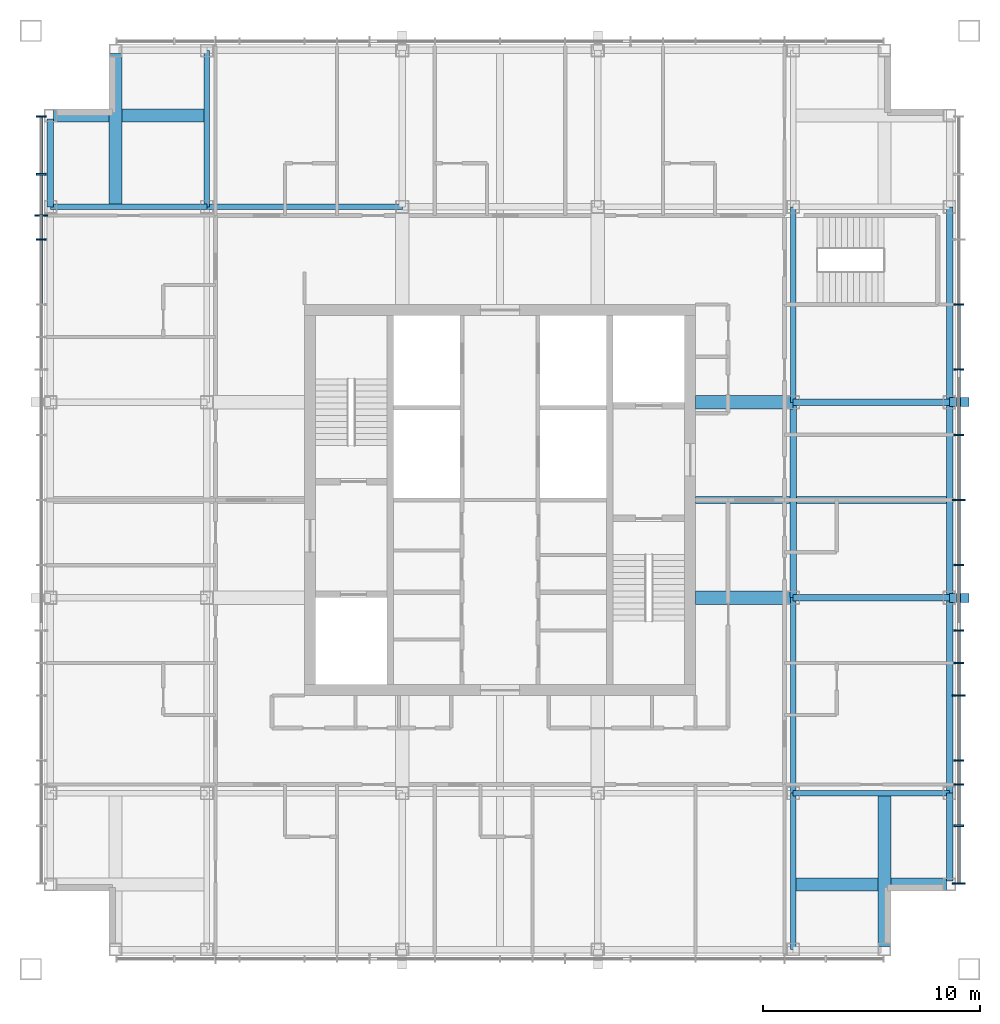
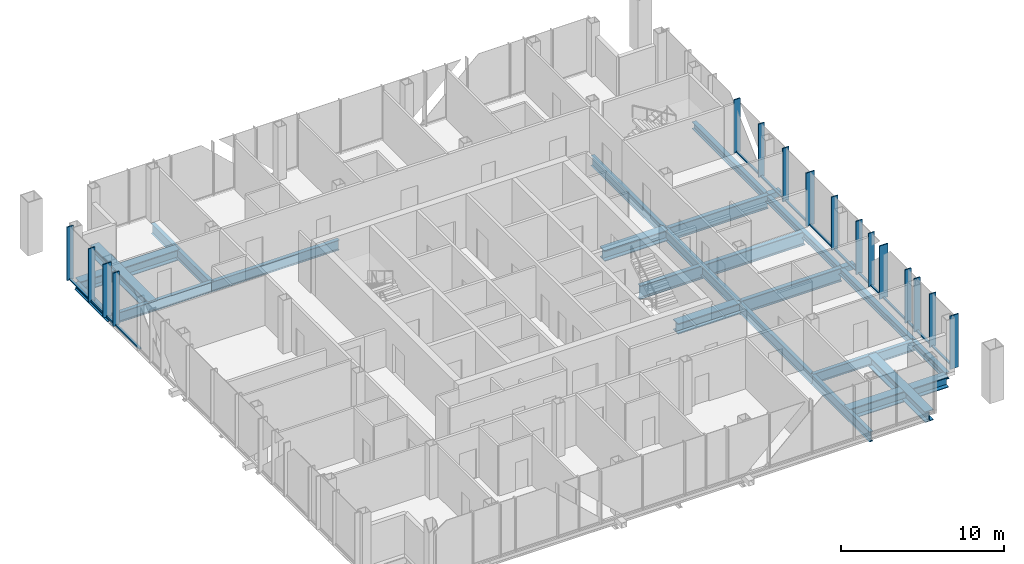
# One storey, part 4 of 13: 33 members, 22 beams, 2 elements without a shape of their own.
"""IFC4 building model written with IfcOpenShell, lengths in metres."""

from ifc_helpers import new_model, si_unit, direction, frame, origin, origin_2d, place, context, subcontext, project, spatial, rectangle, hollow_rectangle, i_section, extrude, material, layer, layer_set, material_profile, profile_set, type_object, element, aggregate, save


model = new_model("IFC4")

# Units and contexts
model_context = context("Model", 3, precision=1e-05, world=origin(), true_north=direction((0.0, 1.0)))
body_context = subcontext(model_context, "Body", "Model", "MODEL_VIEW")
ifc_project = project(units=[si_unit("LENGTHUNIT", "METRE"), si_unit("AREAUNIT", "SQUARE_METRE"), si_unit("VOLUMEUNIT", "CUBIC_METRE"), si_unit("PLANEANGLEUNIT", "RADIAN"), si_unit("MASSUNIT", "GRAM", prefix="KILO")], contexts=[model_context])

# Site, building, storey
site_placement = place(None, origin())
site = spatial("IfcSite", under=ifc_project, at=site_placement, CompositionType="ELEMENT")
building_placement = place(site_placement, origin())
building = spatial("IfcBuilding", under=site, at=building_placement, Name="Malebo Sky Hospital", CompositionType="ELEMENT")
storey_placement = place(building_placement, frame((0.0, 0.0, 274.0)))
storey = spatial("IfcBuildingStorey", under=building, at=storey_placement, Name="L66", CompositionType="ELEMENT", Elevation=274.0)

# Curtain wall, members
ifc_material_1 = material(Name="Anodised aluminium, natural silver", Category="aluminium")
ifc_layer = layer(ifc_material_1, 0.25)
ifc_layer_set = layer_set([ifc_layer], Name="WARD CURTAIN WALL EAST AND WEST")
curtain_wall_type = type_object("IfcCurtainWallType", Name="WARD CURTAIN WALL EAST AND WEST", PredefinedType="NOTDEFINED", material=ifc_layer_set)
curtain_wall_1_placement = place(storey_placement, origin())
curtain_wall_1 = element("IfcCurtainWall", 1, at=curtain_wall_1_placement, inside=storey, type_object=curtain_wall_type, Name="EW curtain wall W", PredefinedType="NOTDEFINED")
ifc_material_profile_1 = material_profile(ifc_material_1, rectangle(XDim=0.14990234375, YDim=0.10009765625, at=origin_2d()), Name="ALUMINIUM TRANSOM 150x100")
ifc_profile_set_1 = profile_set([ifc_material_profile_1], Name="Anodised aluminium, natural silver")
member_type_1 = type_object("IfcMemberType", Name="ALUMINIUM TRANSOM 150x100", PredefinedType="USERDEFINED", material=ifc_profile_set_1)
member_1_placement = place(storey_placement, frame((38.875, 71.03759765625, 0.050048828125), z_axis=(0.0, 1.0, 0.0), x_axis=(-1.0, 0.0, 0.0)))
member_1 = element("IfcMember", 2, at=member_1_placement, type_object=member_type_1, Name="Transom 13", ObjectType="TRANSOM", PredefinedType="USERDEFINED", context=body_context, shape_type="SweptSolid", body=[
    extrude(rectangle(XDim=0.14990234375, YDim=0.10009765625, at=origin_2d()), origin(), (0.0, 0.0, 1.0), 2.9248046875),
])
member_2_placement = place(storey_placement, frame((38.875, 74.03759765625, 0.050048828125), z_axis=(0.0, 1.0, 0.0), x_axis=(-1.0, 0.0, 0.0)))
member_2 = element("IfcMember", 3, at=member_2_placement, type_object=member_type_1, Name="Transom 14", ObjectType="TRANSOM", PredefinedType="USERDEFINED", context=body_context, shape_type="SweptSolid", body=[
    extrude(rectangle(XDim=0.14990234375, YDim=0.10009765625, at=origin_2d()), origin(), (0.0, 0.0, 1.0), 1.02490234375),
])
member_3_placement = place(storey_placement, frame((38.875, 75.137451171875, 0.050048828125), z_axis=(0.0, 1.0, 0.0), x_axis=(-1.0, 0.0, 0.0)))
member_3 = element("IfcMember", 4, at=member_3_placement, type_object=member_type_1, Name="Transom 15", ObjectType="TRANSOM", PredefinedType="USERDEFINED", context=body_context, shape_type="SweptSolid", body=[
    extrude(rectangle(XDim=0.14990234375, YDim=0.10009765625, at=origin_2d()), origin(), (0.0, 0.0, 1.0), 1.824951171875),
])
member_4_placement = place(storey_placement, frame((38.875, 77.03759765625, 0.050048828125), z_axis=(0.0, 1.0, 0.0), x_axis=(-1.0, 0.0, 0.0)))
member_4 = element("IfcMember", 5, at=member_4_placement, type_object=member_type_1, Name="Transom 16", ObjectType="TRANSOM", PredefinedType="USERDEFINED", context=body_context, shape_type="SweptSolid", body=[
    extrude(rectangle(XDim=0.14990234375, YDim=0.10009765625, at=origin_2d()), origin(), (0.0, 0.0, 1.0), 2.58740234375),
])

curtain_wall_2_placement = place(storey_placement, origin())
curtain_wall_2 = element("IfcCurtainWall", 6, at=curtain_wall_2_placement, inside=storey, type_object=curtain_wall_type, Name="EW curtain wall E", PredefinedType="NOTDEFINED")
member_5_placement = place(storey_placement, frame((81.125, 70.96240234375, 0.050048828125), z_axis=(0.0, -1.0, 0.0), x_axis=(1.0, 0.0, 0.0)))
member_5 = element("IfcMember", 7, at=member_5_placement, type_object=member_type_1, Name="Transom 4", ObjectType="TRANSOM", PredefinedType="USERDEFINED", context=body_context, shape_type="SweptSolid", body=[
    extrude(rectangle(XDim=0.14990234375, YDim=0.10009765625, at=origin_2d()), origin(), (0.0, 0.0, 1.0), 2.9248046875),
])
member_6_placement = place(storey_placement, frame((81.125, 67.96240234375, 0.050048828125), z_axis=(0.0, -1.0, 0.0), x_axis=(1.0, 0.0, 0.0)))
member_6 = element("IfcMember", 8, at=member_6_placement, type_object=member_type_1, Name="Transom 5", ObjectType="TRANSOM", PredefinedType="USERDEFINED", context=body_context, shape_type="SweptSolid", body=[
    extrude(rectangle(XDim=0.14990234375, YDim=0.10009765625, at=origin_2d()), origin(), (0.0, 0.0, 1.0), 2.9248046875),
])
member_7_placement = place(storey_placement, frame((81.125, 64.96240234375, 0.050048828125), z_axis=(0.0, -1.0, 0.0), x_axis=(1.0, 0.0, 0.0)))
member_7 = element("IfcMember", 9, at=member_7_placement, type_object=member_type_1, Name="Transom 6", ObjectType="TRANSOM", PredefinedType="USERDEFINED", context=body_context, shape_type="SweptSolid", body=[
    extrude(rectangle(XDim=0.14990234375, YDim=0.10009765625, at=origin_2d()), origin(), (0.0, 0.0, 1.0), 2.9248046875),
])
member_8_placement = place(storey_placement, frame((81.125, 61.96240234375, 0.050048828125), z_axis=(0.0, -1.0, 0.0), x_axis=(1.0, 0.0, 0.0)))
member_8 = element("IfcMember", 10, at=member_8_placement, type_object=member_type_1, Name="Transom 7", ObjectType="TRANSOM", PredefinedType="USERDEFINED", context=body_context, shape_type="SweptSolid", body=[
    extrude(rectangle(XDim=0.14990234375, YDim=0.10009765625, at=origin_2d()), origin(), (0.0, 0.0, 1.0), 2.9248046875),
])
member_9_placement = place(storey_placement, frame((81.125, 58.96240234375, 0.050048828125), z_axis=(0.0, -1.0, 0.0), x_axis=(1.0, 0.0, 0.0)))
member_9 = element("IfcMember", 11, at=member_9_placement, type_object=member_type_1, Name="Transom 8", ObjectType="TRANSOM", PredefinedType="USERDEFINED", context=body_context, shape_type="SweptSolid", body=[
    extrude(rectangle(XDim=0.14990234375, YDim=0.10009765625, at=origin_2d()), origin(), (0.0, 0.0, 1.0), 2.9248046875),
])
member_10_placement = place(storey_placement, frame((81.125, 55.96240234375, 0.050048828125), z_axis=(0.0, -1.0, 0.0), x_axis=(1.0, 0.0, 0.0)))
member_10 = element("IfcMember", 12, at=member_10_placement, type_object=member_type_1, Name="Transom 9", ObjectType="TRANSOM", PredefinedType="USERDEFINED", context=body_context, shape_type="SweptSolid", body=[
    extrude(rectangle(XDim=0.14990234375, YDim=0.10009765625, at=origin_2d()), origin(), (0.0, 0.0, 1.0), 1.4248046875),
])
member_11_placement = place(storey_placement, frame((81.125, 54.46240234375, 0.050048828125), z_axis=(0.0, -1.0, 0.0), x_axis=(1.0, 0.0, 0.0)))
member_11 = element("IfcMember", 13, at=member_11_placement, type_object=member_type_1, Name="Transom 10", ObjectType="TRANSOM", PredefinedType="USERDEFINED", context=body_context, shape_type="SweptSolid", body=[
    extrude(rectangle(XDim=0.14990234375, YDim=0.10009765625, at=origin_2d()), origin(), (0.0, 0.0, 1.0), 1.4248046875),
])
member_12_placement = place(storey_placement, frame((81.125, 52.96240234375, 0.050048828125), z_axis=(0.0, -1.0, 0.0), x_axis=(1.0, 0.0, 0.0)))
member_12 = element("IfcMember", 14, at=member_12_placement, type_object=member_type_1, Name="Transom 11", ObjectType="TRANSOM", PredefinedType="USERDEFINED", context=body_context, shape_type="SweptSolid", body=[
    extrude(rectangle(XDim=0.14990234375, YDim=0.10009765625, at=origin_2d()), origin(), (0.0, 0.0, 1.0), 2.9248046875),
])
member_13_placement = place(storey_placement, frame((81.125, 49.96240234375, 0.050048828125), z_axis=(0.0, -1.0, 0.0), x_axis=(1.0, 0.0, 0.0)))
member_13 = element("IfcMember", 15, at=member_13_placement, type_object=member_type_1, Name="Transom 12", ObjectType="TRANSOM", PredefinedType="USERDEFINED", context=body_context, shape_type="SweptSolid", body=[
    extrude(rectangle(XDim=0.14990234375, YDim=0.10009765625, at=origin_2d()), origin(), (0.0, 0.0, 1.0), 1.02490234375),
])
member_14_placement = place(storey_placement, frame((81.125, 48.862548828125, 0.050048828125), z_axis=(0.0, -1.0, 0.0), x_axis=(1.0, 0.0, 0.0)))
member_14 = element("IfcMember", 16, at=member_14_placement, type_object=member_type_1, Name="Transom 13", ObjectType="TRANSOM", PredefinedType="USERDEFINED", context=body_context, shape_type="SweptSolid", body=[
    extrude(rectangle(XDim=0.14990234375, YDim=0.10009765625, at=origin_2d()), origin(), (0.0, 0.0, 1.0), 1.824951171875),
])
member_15_placement = place(storey_placement, frame((81.125, 46.96240234375, 0.050048828125), z_axis=(0.0, -1.0, 0.0), x_axis=(1.0, 0.0, 0.0)))
member_15 = element("IfcMember", 17, at=member_15_placement, type_object=member_type_1, Name="Transom 14", ObjectType="TRANSOM", PredefinedType="USERDEFINED", context=body_context, shape_type="SweptSolid", body=[
    extrude(rectangle(XDim=0.14990234375, YDim=0.10009765625, at=origin_2d()), origin(), (0.0, 0.0, 1.0), 2.58740234375),
])

# Members
ifc_material_2 = material(Name="Steel S355", Category="steel")
ifc_material_profile_2 = material_profile(ifc_material_2, hollow_rectangle(XDim=0.39990234375, YDim=0.39990234375, WallThickness=0.02001953125, at=origin_2d()), Name="SHS 400x20")
ifc_profile_set_2 = profile_set([ifc_material_profile_2], Name="Steel S355")
member_type_2 = type_object("IfcMemberType", Name="BRACE STRUT SHS 400x20", PredefinedType="STRUT", material=ifc_profile_set_2)
for number, where, z_axis, x_axis, name in (
    (18, (81.60009765625, 66.51220703125, -0.39990234375), (-1.0, 0.0, 0.0), (0.0, -1.0, 0.0), "Brace strut DE1 L66"),
    (19, (81.60009765625, 57.48779296875, -0.39990234375), (-1.0, 0.0, 0.0), (0.0, -1.0, 0.0), "Brace strut DE2 L66"),
):
    element("IfcMember", number, at=place(storey_placement, frame(where, z_axis=z_axis, x_axis=x_axis)), inside=storey, type_object=member_type_2, Name=name, PredefinedType="STRUT", context=body_context, shape_type="SweptSolid", body=[
        extrude(hollow_rectangle(XDim=0.39990234375, YDim=0.39990234375, WallThickness=0.02001953125, at=origin_2d()), origin(), (0.0, 0.0, 1.0), 0.900146484375),
    ])

# Member
ifc_material_profile_3 = material_profile(ifc_material_1, rectangle(XDim=0.074951171875, YDim=0.449951171875, at=origin_2d()), Name="CW2 ALUMINIUM FIN MULLION 75x450")
ifc_profile_set_3 = profile_set([ifc_material_profile_3], Name="Anodised aluminium, natural silver")
member_type_3 = type_object("IfcMemberType", Name="CW2 ALUMINIUM FIN MULLION 75x450", PredefinedType="MULLION", material=ifc_profile_set_3)
member_16_placement = place(storey_placement, frame((38.875, 74.0, 0.0), z_axis=(0.0, 0.0, 1.0), x_axis=(0.0, 1.0, 0.0)))
member_16 = element("IfcMember", 20, at=member_16_placement, type_object=member_type_3, Name="Fin mullion 14", PredefinedType="MULLION", context=body_context, shape_type="SweptSolid", body=[
    extrude(rectangle(XDim=0.074951171875, YDim=0.449951171875, at=origin_2d()), origin(), (0.0, 0.0, 1.0), 4.0),
])

member_17_placement = place(storey_placement, frame((38.875, 77.0, 0.0), z_axis=(0.0, 0.0, 1.0), x_axis=(0.0, 1.0, 0.0)))
member_17 = element("IfcMember", 21, at=member_17_placement, type_object=member_type_3, Name="Fin mullion 16", PredefinedType="MULLION", context=body_context, shape_type="SweptSolid", body=[
    extrude(rectangle(XDim=0.074951171875, YDim=0.449951171875, at=origin_2d()), origin(), (0.0, 0.0, 1.0), 4.0),
])

member_18_placement = place(storey_placement, frame((38.875, 79.66259765625, 0.0), z_axis=(0.0, 0.0, 1.0), x_axis=(0.0, 1.0, 0.0)))
member_18 = element("IfcMember", 22, at=member_18_placement, type_object=member_type_3, Name="Fin mullion 17", PredefinedType="MULLION", context=body_context, shape_type="SweptSolid", body=[
    extrude(rectangle(XDim=0.074951171875, YDim=0.449951171875, at=origin_2d()), origin(), (0.0, 0.0, 1.0), 4.0),
])

member_19_placement = place(storey_placement, frame((81.125, 71.0, 0.0), z_axis=(0.0, 0.0, 1.0), x_axis=(0.0, -1.0, 0.0)))
member_19 = element("IfcMember", 23, at=member_19_placement, type_object=member_type_3, Name="Fin mullion 4", PredefinedType="MULLION", context=body_context, shape_type="SweptSolid", body=[
    extrude(rectangle(XDim=0.074951171875, YDim=0.449951171875, at=origin_2d()), origin(), (0.0, 0.0, 1.0), 4.0),
])

member_20_placement = place(storey_placement, frame((81.125, 68.0, 0.0), z_axis=(0.0, 0.0, 1.0), x_axis=(0.0, -1.0, 0.0)))
member_20 = element("IfcMember", 24, at=member_20_placement, type_object=member_type_3, Name="Fin mullion 5", PredefinedType="MULLION", context=body_context, shape_type="SweptSolid", body=[
    extrude(rectangle(XDim=0.074951171875, YDim=0.449951171875, at=origin_2d()), origin(), (0.0, 0.0, 1.0), 4.0),
])

member_21_placement = place(storey_placement, frame((81.125, 65.0, 0.0), z_axis=(0.0, 0.0, 1.0), x_axis=(0.0, -1.0, 0.0)))
member_21 = element("IfcMember", 25, at=member_21_placement, type_object=member_type_3, Name="Fin mullion 6", PredefinedType="MULLION", context=body_context, shape_type="SweptSolid", body=[
    extrude(rectangle(XDim=0.074951171875, YDim=0.449951171875, at=origin_2d()), origin(), (0.0, 0.0, 1.0), 4.0),
])

member_22_placement = place(storey_placement, frame((81.125, 59.0, 0.0), z_axis=(0.0, 0.0, 1.0), x_axis=(0.0, -1.0, 0.0)))
member_22 = element("IfcMember", 26, at=member_22_placement, type_object=member_type_3, Name="Fin mullion 8", PredefinedType="MULLION", context=body_context, shape_type="SweptSolid", body=[
    extrude(rectangle(XDim=0.074951171875, YDim=0.449951171875, at=origin_2d()), origin(), (0.0, 0.0, 1.0), 4.0),
])

member_23_placement = place(storey_placement, frame((81.125, 56.0, 0.0), z_axis=(0.0, 0.0, 1.0), x_axis=(0.0, -1.0, 0.0)))
member_23 = element("IfcMember", 27, at=member_23_placement, type_object=member_type_3, Name="Fin mullion 9", PredefinedType="MULLION", context=body_context, shape_type="SweptSolid", body=[
    extrude(rectangle(XDim=0.074951171875, YDim=0.449951171875, at=origin_2d()), origin(), (0.0, 0.0, 1.0), 4.0),
])

member_24_placement = place(storey_placement, frame((81.125, 54.5, 0.0), z_axis=(0.0, 0.0, 1.0), x_axis=(0.0, -1.0, 0.0)))
member_24 = element("IfcMember", 28, at=member_24_placement, type_object=member_type_3, Name="Fin mullion 10", PredefinedType="MULLION", context=body_context, shape_type="SweptSolid", body=[
    extrude(rectangle(XDim=0.074951171875, YDim=0.449951171875, at=origin_2d()), origin(), (0.0, 0.0, 1.0), 4.0),
])

member_25_placement = place(storey_placement, frame((81.125, 50.0, 0.0), z_axis=(0.0, 0.0, 1.0), x_axis=(0.0, -1.0, 0.0)))
member_25 = element("IfcMember", 29, at=member_25_placement, type_object=member_type_3, Name="Fin mullion 12", PredefinedType="MULLION", context=body_context, shape_type="SweptSolid", body=[
    extrude(rectangle(XDim=0.074951171875, YDim=0.449951171875, at=origin_2d()), origin(), (0.0, 0.0, 1.0), 4.0),
])

member_26_placement = place(storey_placement, frame((81.125, 48.89990234375, 0.0), z_axis=(0.0, 0.0, 1.0), x_axis=(0.0, -1.0, 0.0)))
member_26 = element("IfcMember", 30, at=member_26_placement, type_object=member_type_3, Name="Fin mullion 13", PredefinedType="MULLION", context=body_context, shape_type="SweptSolid", body=[
    extrude(rectangle(XDim=0.074951171875, YDim=0.449951171875, at=origin_2d()), origin(), (0.0, 0.0, 1.0), 4.0),
])

member_27_placement = place(storey_placement, frame((81.125, 47.0, 0.0), z_axis=(0.0, 0.0, 1.0), x_axis=(0.0, -1.0, 0.0)))
member_27 = element("IfcMember", 31, at=member_27_placement, type_object=member_type_3, Name="Fin mullion 14", PredefinedType="MULLION", context=body_context, shape_type="SweptSolid", body=[
    extrude(rectangle(XDim=0.074951171875, YDim=0.449951171875, at=origin_2d()), origin(), (0.0, 0.0, 1.0), 4.0),
])

ifc_material_profile_4 = material_profile(ifc_material_1, rectangle(XDim=0.074951171875, YDim=0.60009765625, at=origin_2d()), Name="CW2 ALUMINIUM FIN MULLION 75x600")
ifc_profile_set_4 = profile_set([ifc_material_profile_4], Name="Anodised aluminium, natural silver")
member_type_4 = type_object("IfcMemberType", Name="CW2 ALUMINIUM FIN MULLION 75x600", PredefinedType="MULLION", material=ifc_profile_set_4)
member_28_placement = place(storey_placement, frame((38.875, 75.10009765625, 0.0), z_axis=(0.0, 0.0, 1.0), x_axis=(0.0, 1.0, 0.0)))
member_28 = element("IfcMember", 32, at=member_28_placement, type_object=member_type_4, Name="Fin mullion 15", PredefinedType="MULLION", context=body_context, shape_type="SweptSolid", body=[
    extrude(rectangle(XDim=0.074951171875, YDim=0.60009765625, at=origin_2d()), origin(), (0.0, 0.0, 1.0), 4.0),
])

aggregate(curtain_wall_1, [member_16, member_28, member_17, member_18, member_1, member_2, member_3, member_4])

member_29_placement = place(storey_placement, frame((81.125, 62.0, 0.0), z_axis=(0.0, 0.0, 1.0), x_axis=(0.0, -1.0, 0.0)))
member_29 = element("IfcMember", 33, at=member_29_placement, type_object=member_type_4, Name="Fin mullion 7", PredefinedType="MULLION", context=body_context, shape_type="SweptSolid", body=[
    extrude(rectangle(XDim=0.074951171875, YDim=0.60009765625, at=origin_2d()), origin(), (0.0, 0.0, 1.0), 4.0),
])

member_30_placement = place(storey_placement, frame((81.125, 53.0, 0.0), z_axis=(0.0, 0.0, 1.0), x_axis=(0.0, -1.0, 0.0)))
member_30 = element("IfcMember", 34, at=member_30_placement, type_object=member_type_4, Name="Fin mullion 11", PredefinedType="MULLION", context=body_context, shape_type="SweptSolid", body=[
    extrude(rectangle(XDim=0.074951171875, YDim=0.60009765625, at=origin_2d()), origin(), (0.0, 0.0, 1.0), 4.0),
])

member_31_placement = place(storey_placement, frame((81.125, 44.33740234375, 0.0), z_axis=(0.0, 0.0, 1.0), x_axis=(0.0, -1.0, 0.0)))
member_31 = element("IfcMember", 35, at=member_31_placement, type_object=member_type_4, Name="Fin mullion 15", PredefinedType="MULLION", context=body_context, shape_type="SweptSolid", body=[
    extrude(rectangle(XDim=0.074951171875, YDim=0.60009765625, at=origin_2d()), origin(), (0.0, 0.0, 1.0), 4.0),
])

aggregate(curtain_wall_2, [member_19, member_20, member_21, member_29, member_22, member_23, member_24, member_30, member_25, member_26, member_27, member_31, member_5, member_6, member_7, member_8, member_9, member_10, member_11, member_12, member_13, member_14, member_15])

# Beams
ifc_material_profile_5 = material_profile(ifc_material_2, i_section(OverallWidth=0.305908203125, OverallDepth=0.52392578125, WebThickness=0.02099609375, FlangeThickness=0.0400390625, FilletRadius=0.027099609375, at=origin_2d()), Name="HEM 500")
ifc_profile_set_5 = profile_set([ifc_material_profile_5], Name="Steel S355")
beam_type_1 = type_object("IfcBeamType", Name="EDGE BEAM HEM 500", PredefinedType="BEAM", material=ifc_profile_set_5)
for number, where, z_axis, x_axis, name in (
    (36, (39.300048828125, 75.5, -0.511962890625), (0.0, 1.0, 0.0), (-1.0, 0.0, 0.0), "Beam 004 L66"),
    (37, (80.699951171875, 44.449951171875, -0.511962890625), (0.0, 1.0, 0.0), (-1.0, 0.0, 0.0), "Beam 029 L66"),
):
    element("IfcBeam", number, at=place(storey_placement, frame(where, z_axis=z_axis, x_axis=x_axis)), inside=storey, type_object=beam_type_1, Name=name, PredefinedType="BEAM", context=body_context, shape_type="SweptSolid", body=[
        extrude(i_section(OverallWidth=0.305908203125, OverallDepth=0.52392578125, WebThickness=0.02099609375, FlangeThickness=0.0400390625, FilletRadius=0.027099609375, at=origin_2d()), origin(), (0.0, 0.0, 1.0), 4.050048828125),
    ])
for number, where, z_axis, x_axis, name in (
    (38, (80.699951171875, 48.5, -0.511962890625), (0.0, 1.0, 0.0), (-1.0, 0.0, 0.0), "Beam 030 L66"),
    (39, (80.699951171875, 57.5, -0.511962890625), (0.0, 1.0, 0.0), (-1.0, 0.0, 0.0), "Beam 031 L66"),
    (40, (80.699951171875, 66.5, -0.511962890625), (0.0, 1.0, 0.0), (-1.0, 0.0, 0.0), "Beam 032 L66"),
):
    element("IfcBeam", number, at=place(storey_placement, frame(where, z_axis=z_axis, x_axis=x_axis)), inside=storey, type_object=beam_type_1, Name=name, PredefinedType="BEAM", context=body_context, shape_type="SweptSolid", body=[
        extrude(i_section(OverallWidth=0.305908203125, OverallDepth=0.52392578125, WebThickness=0.02099609375, FlangeThickness=0.0400390625, FilletRadius=0.027099609375, at=origin_2d()), origin(), (0.0, 0.0, 1.0), 9.0),
    ])
ifc_material_profile_6 = material_profile(ifc_material_2, i_section(OverallWidth=0.300048828125, OverallDepth=1.0, WebThickness=0.01904296875, FlangeThickness=0.035888671875, FilletRadius=0.030029296875, at=origin_2d()), Name="HEB 1000")
ifc_profile_set_6 = profile_set([ifc_material_profile_6], Name="Steel S355")
beam_type_2 = type_object("IfcBeamType", Name="FLOOR BEAM HEB 1000", PredefinedType="BEAM", material=ifc_profile_set_6)
beam_1_placement = place(storey_placement, frame((73.5, 57.5, -0.75), z_axis=(1.0, 0.0, 0.0), x_axis=(0.0, 1.0, 0.0)))
element("IfcBeam", 41, at=beam_1_placement, inside=storey, type_object=beam_type_2, Name="Beam 049 L66", PredefinedType="BEAM", context=body_context, shape_type="SweptSolid", body=[
    extrude(i_section(OverallWidth=0.300048828125, OverallDepth=1.0, WebThickness=0.01904296875, FlangeThickness=0.035888671875, FilletRadius=0.030029296875, at=origin_2d()), origin(), (0.0, 0.0, 1.0), 7.199951171875),
])
beam_2_placement = place(storey_placement, frame((69.0, 62.0, -0.75), z_axis=(1.0, 0.0, 0.0), x_axis=(0.0, 1.0, 0.0)))
element("IfcBeam", 42, at=beam_2_placement, inside=storey, type_object=beam_type_2, Name="Beam 051 L66", PredefinedType="BEAM", context=body_context, shape_type="SweptSolid", body=[
    extrude(i_section(OverallWidth=0.300048828125, OverallDepth=1.0, WebThickness=0.01904296875, FlangeThickness=0.035888671875, FilletRadius=0.030029296875, at=origin_2d()), origin(), (0.0, 0.0, 1.0), 11.699951171875),
])
beam_3_placement = place(storey_placement, frame((73.5, 66.5, -0.75), z_axis=(1.0, 0.0, 0.0), x_axis=(0.0, 1.0, 0.0)))
element("IfcBeam", 43, at=beam_3_placement, inside=storey, type_object=beam_type_2, Name="Beam 055 L66", PredefinedType="BEAM", context=body_context, shape_type="SweptSolid", body=[
    extrude(i_section(OverallWidth=0.300048828125, OverallDepth=1.0, WebThickness=0.01904296875, FlangeThickness=0.035888671875, FilletRadius=0.030029296875, at=origin_2d()), origin(), (0.0, 0.0, 1.0), 7.199951171875),
])
ifc_material_profile_7 = material_profile(ifc_material_2, i_section(OverallWidth=0.26708984375, OverallDepth=0.761962890625, WebThickness=0.014404296875, FlangeThickness=0.021484375, FilletRadius=0.01708984375, at=origin_2d()), Name="IPE 750x173")
ifc_profile_set_7 = profile_set([ifc_material_profile_7], Name="Steel S355")
beam_type_3 = type_object("IfcBeamType", Name="FLOOR BEAM IPE 750x173", PredefinedType="BEAM", material=ifc_profile_set_7)
for number, where, z_axis, x_axis, name in (
    (44, (73.5, 48.5, -0.631103515625), (0.0, 1.0, 0.0), (-1.0, 0.0, 0.0), "Beam 023 L66"),
    (45, (73.5, 66.5, -0.631103515625), (0.0, 1.0, 0.0), (-1.0, 0.0, 0.0), "Beam 025 L66"),
    (46, (46.5, 75.5, -0.631103515625), (1.0, 0.0, 0.0), (0.0, 1.0, 0.0), "Beam 057 L66"),
):
    element("IfcBeam", number, at=place(storey_placement, frame(where, z_axis=z_axis, x_axis=x_axis)), inside=storey, type_object=beam_type_3, Name=name, PredefinedType="BEAM", context=body_context, shape_type="SweptSolid", body=[
        extrude(i_section(OverallWidth=0.26708984375, OverallDepth=0.761962890625, WebThickness=0.014404296875, FlangeThickness=0.021484375, FilletRadius=0.01708984375, at=origin_2d()), origin(), (0.0, 0.0, 1.0), 9.0),
    ])
ifc_material_profile_8 = material_profile(ifc_material_2, i_section(OverallWidth=0.60009765625, OverallDepth=0.800048828125, WebThickness=0.0400390625, FlangeThickness=0.06005859375, at=origin_2d()), Name="PG 800x600x40x60")
ifc_profile_set_8 = profile_set([ifc_material_profile_8], Name="Steel S355")
beam_type_4 = type_object("IfcBeamType", Name="FLOOR BEAM PG 800x600x40x60", PredefinedType="BEAM", material=ifc_profile_set_8)
for number, where, z_axis, x_axis, name in (
    (47, (42.300048828125, 75.5, -0.64990234375), (0.0, 1.0, 0.0), (-1.0, 0.0, 0.0), "Beam 006 L66"),
    (48, (77.699951171875, 41.449951171875, -0.64990234375), (0.0, 1.0, 0.0), (-1.0, 0.0, 0.0), "Beam 027 L66"),
    (49, (73.5, 44.300048828125, -0.64990234375), (1.0, 0.0, 0.0), (0.0, 1.0, 0.0), "Beam 040 L66"),
):
    element("IfcBeam", number, at=place(storey_placement, frame(where, z_axis=z_axis, x_axis=x_axis)), inside=storey, type_object=beam_type_4, Name=name, PredefinedType="BEAM", context=body_context, shape_type="SweptSolid", body=[
        extrude(i_section(OverallWidth=0.60009765625, OverallDepth=0.800048828125, WebThickness=0.0400390625, FlangeThickness=0.06005859375, at=origin_2d()), origin(), (0.0, 0.0, 1.0), 7.050048828125),
    ])
for number, where, z_axis, x_axis, name in (
    (50, (69.0, 57.5, -0.64990234375), (1.0, 0.0, 0.0), (0.0, 1.0, 0.0), "Beam 048 L66"),
    (51, (69.0, 66.5, -0.64990234375), (1.0, 0.0, 0.0), (0.0, 1.0, 0.0), "Beam 054 L66"),
):
    element("IfcBeam", number, at=place(storey_placement, frame(where, z_axis=z_axis, x_axis=x_axis)), inside=storey, type_object=beam_type_4, Name=name, PredefinedType="BEAM", context=body_context, shape_type="SweptSolid", body=[
        extrude(i_section(OverallWidth=0.60009765625, OverallDepth=0.800048828125, WebThickness=0.0400390625, FlangeThickness=0.06005859375, at=origin_2d()), origin(), (0.0, 0.0, 1.0), 4.5),
    ])
beam_4_placement = place(storey_placement, frame((39.449951171875, 79.699951171875, -0.64990234375), z_axis=(1.0, 0.0, 0.0), x_axis=(0.0, 1.0, 0.0)))
element("IfcBeam", 52, at=beam_4_placement, inside=storey, type_object=beam_type_4, Name="Beam 061 L66", PredefinedType="BEAM", context=body_context, shape_type="SweptSolid", body=[
    extrude(i_section(OverallWidth=0.60009765625, OverallDepth=0.800048828125, WebThickness=0.0400390625, FlangeThickness=0.06005859375, at=origin_2d()), origin(), (0.0, 0.0, 1.0), 7.050048828125),
])
ifc_material_profile_9 = material_profile(ifc_material_2, i_section(OverallWidth=0.262939453125, OverallDepth=0.7529296875, WebThickness=0.011474609375, FlangeThickness=0.01708984375, FilletRadius=0.01708984375, at=origin_2d()), Name="IPE 750x137")
ifc_profile_set_9 = profile_set([ifc_material_profile_9], Name="Steel S355")
beam_type_5 = type_object("IfcBeamType", Name="FLOOR GIRDER IPE 750x137", PredefinedType="BEAM", material=ifc_profile_set_9)
for number, where, z_axis, x_axis, name in (
    (53, (46.5, 75.5, -0.62646484375), (0.0, 1.0, 0.0), (-1.0, 0.0, 0.0), "Beam 011 L66"),
    (54, (73.5, 41.300048828125, -0.62646484375), (0.0, 1.0, 0.0), (-1.0, 0.0, 0.0), "Beam 022 L66"),
    (55, (73.5, 48.5, -0.62646484375), (1.0, 0.0, 0.0), (0.0, 1.0, 0.0), "Beam 045 L66"),
    (56, (39.300048828125, 75.5, -0.62646484375), (1.0, 0.0, 0.0), (0.0, 1.0, 0.0), "Beam 056 L66"),
):
    element("IfcBeam", number, at=place(storey_placement, frame(where, z_axis=z_axis, x_axis=x_axis)), inside=storey, type_object=beam_type_5, Name=name, PredefinedType="BEAM", context=body_context, shape_type="SweptSolid", body=[
        extrude(i_section(OverallWidth=0.262939453125, OverallDepth=0.7529296875, WebThickness=0.011474609375, FlangeThickness=0.01708984375, FilletRadius=0.01708984375, at=origin_2d()), origin(), (0.0, 0.0, 1.0), 7.199951171875),
    ])
ifc_material_profile_10 = material_profile(ifc_material_2, i_section(OverallWidth=0.300048828125, OverallDepth=0.800048828125, WebThickness=0.017578125, FlangeThickness=0.032958984375, FilletRadius=0.030029296875, at=origin_2d()), Name="HEB 800")
ifc_profile_set_10 = profile_set([ifc_material_profile_10], Name="Steel S355")
beam_type_6 = type_object("IfcBeamType", Name="RING GIRDER HEB 800", PredefinedType="BEAM", material=ifc_profile_set_10)
beam_5_placement = place(storey_placement, frame((73.5, 57.5, -0.64990234375), z_axis=(0.0, 1.0, 0.0), x_axis=(-1.0, 0.0, 0.0)))
element("IfcBeam", 57, at=beam_5_placement, inside=storey, type_object=beam_type_6, Name="Beam 024 L66", PredefinedType="BEAM", context=body_context, shape_type="SweptSolid", body=[
    extrude(i_section(OverallWidth=0.300048828125, OverallDepth=0.800048828125, WebThickness=0.017578125, FlangeThickness=0.032958984375, FilletRadius=0.030029296875, at=origin_2d()), origin(), (0.0, 0.0, 1.0), 9.0),
])

save(model, "model.ifc")
